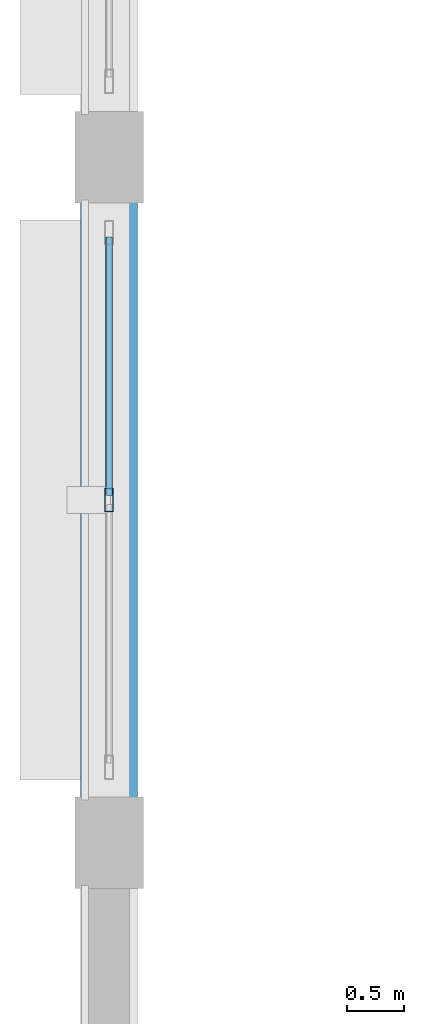
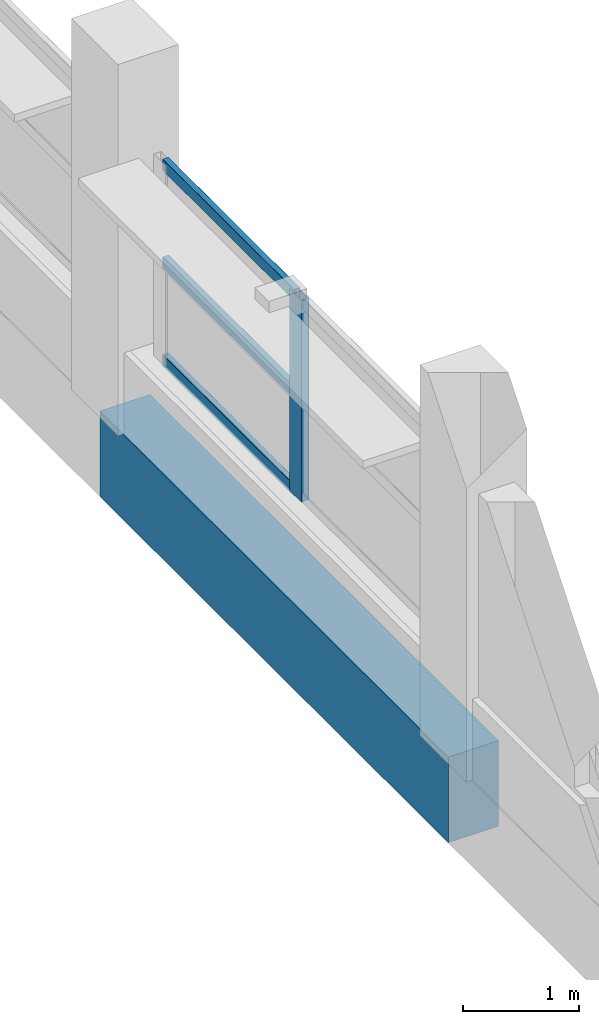
# One storey, part 9 of 121: 4 members, 1 beam, 1 element without a shape of its own.
"""IFC4 building model written with IfcOpenShell, lengths in metres."""

from ifc_helpers import new_model, si_unit, direction, frame, origin, origin_2d, place, context, subcontext, project, spatial, rectangle, hollow_rectangle, extrude, material, layer, layer_set, material_profile, profile_set, type_object, element, aggregate, save


model = new_model("IFC4")

# Units and contexts
model_context = context("Model", 3, precision=1e-05, world=origin(), true_north=direction((0.0, 1.0)))
body_context = subcontext(model_context, "Body", "Model", "MODEL_VIEW")
ifc_project = project(units=[si_unit("LENGTHUNIT", "METRE"), si_unit("AREAUNIT", "SQUARE_METRE"), si_unit("VOLUMEUNIT", "CUBIC_METRE"), si_unit("PLANEANGLEUNIT", "RADIAN"), si_unit("MASSUNIT", "GRAM", prefix="KILO")], contexts=[model_context])

# Site, building, storey
site_placement = place(None, origin())
site = spatial("IfcSite", under=ifc_project, at=site_placement, CompositionType="ELEMENT")
building_placement = place(site_placement, origin())
building = spatial("IfcBuilding", under=site, at=building_placement, Name="Vespera Passage Community Centre", CompositionType="ELEMENT")
storey_placement = place(building_placement, frame((0.0, 0.0, 8.699951171875)))
storey = spatial("IfcBuildingStorey", under=building, at=storey_placement, Name="L02", CompositionType="ELEMENT", Elevation=8.699951171875)

# Beam
ifc_material_1 = material(Name="Concrete f'c 45 MPa", Category="concrete")
ifc_material_profile_1 = material_profile(ifc_material_1, rectangle(XDim=0.5, YDim=0.89990234375, at=origin_2d()), Name="RC500X900")
ifc_profile_set_1 = profile_set([ifc_material_profile_1], Name="Concrete f'c 45 MPa")
beam_type = type_object("IfcBeamType", Name="BM-SP-500X900E", PredefinedType="SPANDREL", material=ifc_profile_set_1)
beam_placement = place(storey_placement, frame((4.050048828125, 31.0, -0.449951171875), z_axis=(0.0, 1.0, 0.0), x_axis=(-1.0, 0.0, 0.0)))
element("IfcBeam", 1, at=beam_placement, inside=storey, type_object=beam_type, Name="V1 L02 Spandrel W5", PredefinedType="SPANDREL", context=body_context, shape_type="SweptSolid", body=[
    extrude(rectangle(XDim=0.5, YDim=0.89990234375, at=origin_2d()), origin(), (0.0, 0.0, 1.0), 6.0),
])

# Curtain wall, members
ifc_material_2 = material(Name="Anodized aluminium 6063-T6", Category="aluminium")
ifc_layer = layer(ifc_material_2, 0.159912109375)
ifc_layer_set = layer_set([ifc_layer], Name="Anodized aluminium 6063-T6")
curtain_wall_type = type_object("IfcCurtainWallType", Name="CW-86E", PredefinedType="NOTDEFINED", material=ifc_layer_set)
curtain_wall_placement = place(storey_placement, origin())
curtain_wall = element("IfcCurtainWall", 2, at=curtain_wall_placement, inside=storey, type_object=curtain_wall_type, Name="Main Hall Acoustic Curtain Wall L02 W5", PredefinedType="NOTDEFINED")
ifc_material_3 = material(Name="Anodized aluminium 6063-T6", Category="aluminium")
ifc_material_profile_2 = material_profile(ifc_material_3, hollow_rectangle(XDim=0.074951171875, YDim=0.2099609375, WallThickness=0.0048828125, InnerFilletRadius=0.00244140625, OuterFilletRadius=0.0048828125, at=origin_2d()), Name="ALU210X75X5")
ifc_profile_set_2 = profile_set([ifc_material_profile_2], Name="Anodized aluminium 6063-T6")
member_type_1 = type_object("IfcMemberType", Name="MB-CWM-210E", PredefinedType="MULLION", material=ifc_profile_set_2)
member_1_placement = place(storey_placement, frame((4.050048828125, 34.0, 0.85009765625), z_axis=(0.0, 0.0, 1.0), x_axis=(-1.0, 0.0, 0.0)))
member_1 = element("IfcMember", 3, at=member_1_placement, type_object=member_type_1, Name="CW-86E mullion 2", PredefinedType="MULLION", context=body_context, shape_type="SweptSolid", body=[
    extrude(hollow_rectangle(XDim=0.074951171875, YDim=0.2099609375, WallThickness=0.0048828125, InnerFilletRadius=0.00244140625, OuterFilletRadius=0.0048828125, at=origin_2d()), origin(), (0.0, 0.0, 1.0), 2.114990234375),
])
ifc_material_4 = material(Name="Anodized aluminium 6063-T6", Category="aluminium")
ifc_material_profile_3 = material_profile(ifc_material_4, hollow_rectangle(XDim=0.06005859375, YDim=0.1201171875, WallThickness=0.00390625, InnerFilletRadius=0.001953125, OuterFilletRadius=0.00390625, at=origin_2d()), Name="ALU120X60X4")
ifc_profile_set_3 = profile_set([ifc_material_profile_3], Name="Anodized aluminium 6063-T6")
member_type_2 = type_object("IfcMemberType", Name="MB-CWT-120E", PredefinedType="USERDEFINED", material=ifc_profile_set_3)
member_2_placement = place(storey_placement, frame((4.050048828125, 34.03759765625, 0.880126953125), z_axis=(0.0, 1.0, 0.0), x_axis=(-1.0, 0.0, 0.0)))
member_2 = element("IfcMember", 4, at=member_2_placement, type_object=member_type_2, Name="CW-86E transom 2.1", ObjectType="TRANSOM", PredefinedType="USERDEFINED", context=body_context, shape_type="SweptSolid", body=[
    extrude(hollow_rectangle(XDim=0.06005859375, YDim=0.1201171875, WallThickness=0.00390625, InnerFilletRadius=0.001953125, OuterFilletRadius=0.00390625, at=origin_2d()), origin(), (0.0, 0.0, 1.0), 2.262451171875),
])
member_3_placement = place(storey_placement, frame((4.050048828125, 34.03759765625, 1.907470703125), z_axis=(0.0, 1.0, 0.0), x_axis=(-1.0, 0.0, 0.0)))
member_3 = element("IfcMember", 5, at=member_3_placement, type_object=member_type_2, Name="CW-86E transom 2.2", ObjectType="TRANSOM", PredefinedType="USERDEFINED", context=body_context, shape_type="SweptSolid", body=[
    extrude(hollow_rectangle(XDim=0.06005859375, YDim=0.1201171875, WallThickness=0.00390625, InnerFilletRadius=0.001953125, OuterFilletRadius=0.00390625, at=origin_2d()), origin(), (0.0, 0.0, 1.0), 2.262451171875),
])
member_4_placement = place(storey_placement, frame((4.050048828125, 34.03759765625, 2.93505859375), z_axis=(0.0, 1.0, 0.0), x_axis=(-1.0, 0.0, 0.0)))
member_4 = element("IfcMember", 6, at=member_4_placement, type_object=member_type_2, Name="CW-86E transom 2.3", ObjectType="TRANSOM", PredefinedType="USERDEFINED", context=body_context, shape_type="SweptSolid", body=[
    extrude(hollow_rectangle(XDim=0.06005859375, YDim=0.1201171875, WallThickness=0.00390625, InnerFilletRadius=0.001953125, OuterFilletRadius=0.00390625, at=origin_2d()), origin(), (0.0, 0.0, 1.0), 2.262451171875),
])
aggregate(curtain_wall, [member_1, member_2, member_3, member_4])

save(model, "model.ifc")
